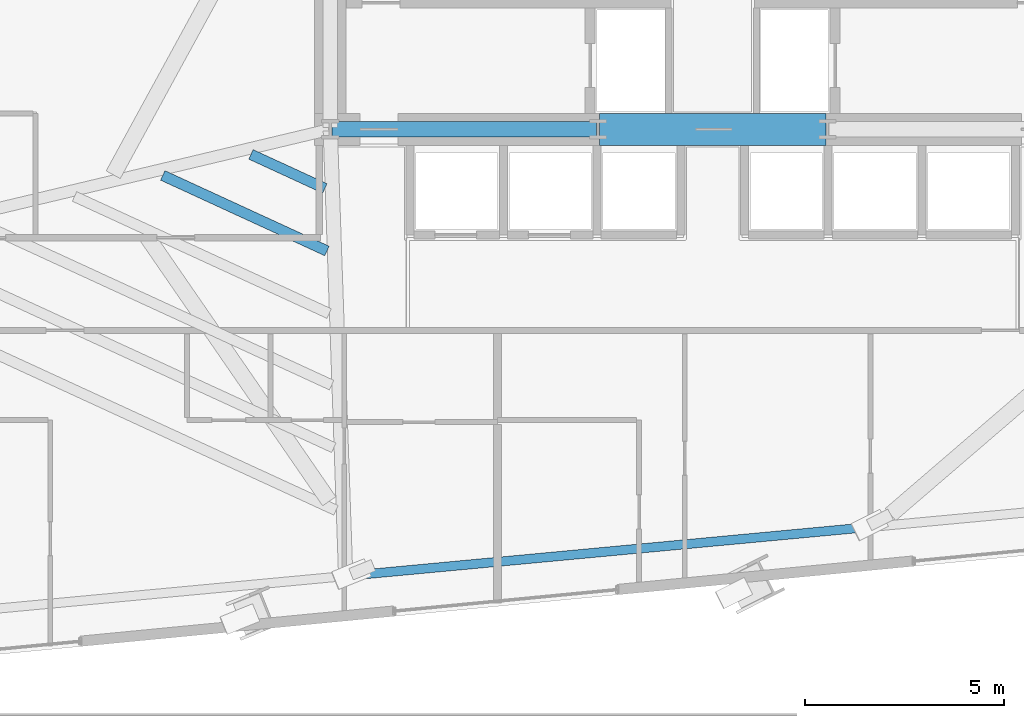
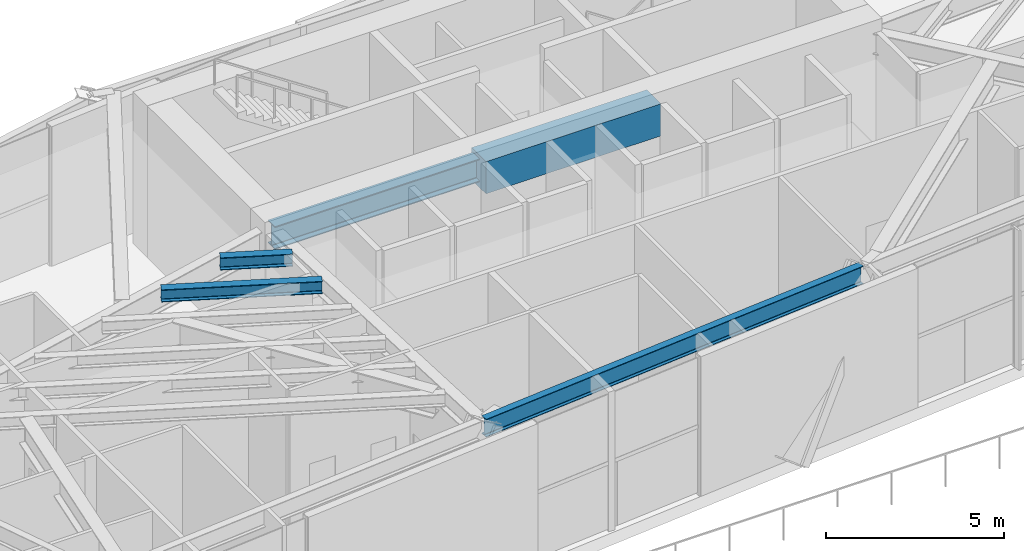
# One storey, part 5 of 28: 5 beams.
"""IFC4 building model written with IfcOpenShell, lengths in metres."""

from ifc_helpers import new_model, si_unit, direction, frame, origin, origin_2d, place, context, subcontext, project, spatial, rectangle, i_section, extrude, source, transform, mapped, material, material_profile, profile_set, type_object, type_shapes, element, save


model = new_model("IFC4")

# Units and contexts
model_context = context("Model", 3, precision=1e-05, world=origin(), true_north=direction((0.0, 1.0)))
body_context = subcontext(model_context, "Body", "Model", "MODEL_VIEW")
ifc_project = project(units=[si_unit("LENGTHUNIT", "METRE"), si_unit("AREAUNIT", "SQUARE_METRE"), si_unit("VOLUMEUNIT", "CUBIC_METRE"), si_unit("PLANEANGLEUNIT", "RADIAN"), si_unit("MASSUNIT", "GRAM", prefix="KILO")], contexts=[model_context])

# Site, building, storey
site_placement = place(None, origin())
site = spatial("IfcSite", under=ifc_project, at=site_placement, CompositionType="ELEMENT")
building_placement = place(site_placement, origin())
building = spatial("IfcBuilding", under=site, at=building_placement, Name="Astriad Promenade Condominiums", CompositionType="ELEMENT")
storey_placement = place(building_placement, frame((0.0, 0.0, 72.60009765625)))
storey = spatial("IfcBuildingStorey", under=building, at=storey_placement, Name="L20", CompositionType="ELEMENT", Elevation=72.60009765625)

# Beams
ifc_material_1 = material(Name="Steel ASTM A992 Grade 50", Category="steel")
ifc_material_profile_1 = material_profile(ifc_material_1, i_section(OverallWidth=0.3837890625, OverallDepth=0.785888671875, WebThickness=0.019775390625, FlangeThickness=0.033447265625, FilletRadius=0.021484375, at=origin_2d()), Name="W30X211")
ifc_profile_set_1 = profile_set([ifc_material_profile_1], Name="Steel ASTM A992 Grade 50")
beam_type_1 = type_object("IfcBeamType", Name="STEEL FLOOR GIRDER W30X211", PredefinedType="BEAM", material=ifc_profile_set_1)
shared_shape_1 = source(origin(), body_context, "Body", "SweptSolid", [
    extrude(i_section(OverallWidth=0.3837890625, OverallDepth=0.785888671875, WebThickness=0.019775390625, FlangeThickness=0.033447265625, FilletRadius=0.021484375, at=origin_2d()), origin(), (0.0, 0.0, 1.0), 6.64013671875),
])
type_shapes(beam_type_1, [shared_shape_1])
beam_1_placement = place(storey_placement, frame((26.43994140625, 17.39990234375, 4.386962890625), z_axis=(1.0, 0.0, 0.0), x_axis=(0.0, 1.0, 0.0)))
element("IfcBeam", 1, at=beam_1_placement, inside=storey, type_object=beam_type_1, Name="Core Ring Beam CG-S1-L20", PredefinedType="BEAM", context=body_context, shape_type="MappedRepresentation", body=[
    mapped(shared_shape_1, transform((0.0, 0.0, 0.0), scale=1.0)),
])
ifc_material_2 = material(Name="Concrete C80/95", Category="concrete")
ifc_material_profile_2 = material_profile(ifc_material_2, rectangle(XDim=0.800048828125, YDim=1.10009765625, at=origin_2d()), Name="RC-BM-800X1100")
ifc_profile_set_2 = profile_set([ifc_material_profile_2], Name="Concrete C80/95")
beam_type_2 = type_object("IfcBeamType", Name="CONCRETE CORE COUPLING LINTEL 800X1100", PredefinedType="LINTEL", material=ifc_profile_set_2)
shared_shape_2 = source(origin(), body_context, "Body", "SweptSolid", [
    extrude(rectangle(XDim=0.800048828125, YDim=1.10009765625, at=origin_2d()), origin(), (0.0, 0.0, 1.0), 5.68017578125),
])
type_shapes(beam_type_2, [shared_shape_2])
beam_2_placement = place(storey_placement, frame((33.159912109375, 17.39990234375, 4.22998046875), z_axis=(1.0, 0.0, 0.0), x_axis=(0.0, 1.0, 0.0)))
element("IfcBeam", 2, at=beam_2_placement, inside=storey, type_object=beam_type_2, Name="Core Ring Beam CG-S2-L20", PredefinedType="LINTEL", context=body_context, shape_type="MappedRepresentation", body=[
    mapped(shared_shape_2, transform((0.0, 0.0, 0.0), scale=1.0)),
])
ifc_material_profile_3 = material_profile(ifc_material_1, i_section(OverallWidth=0.22900390625, OverallDepth=0.612060546875, WebThickness=0.011962890625, FlangeThickness=0.01953125, FilletRadius=0.017822265625, at=origin_2d()), Name="W24X84")
ifc_profile_set_3 = profile_set([ifc_material_profile_3], Name="Steel ASTM A992 Grade 50")
beam_type_3 = type_object("IfcBeamType", Name="STEEL SPANDREL BEAM W24X84", PredefinedType="SPANDREL", material=ifc_profile_set_3)
shared_shape_3 = source(origin(), body_context, "Body", "SweptSolid", [
    extrude(i_section(OverallWidth=0.22900390625, OverallDepth=0.612060546875, WebThickness=0.011962890625, FlangeThickness=0.01953125, FilletRadius=0.017822265625, at=origin_2d()), origin(), (0.0, 0.0, 1.0), 12.9736328125),
])
type_shapes(beam_type_3, [shared_shape_3])
beam_3_placement = place(storey_placement, frame((26.8564453125, 6.1923828125, 4.473876953125), z_axis=(0.995655568628, 0.093112773887, 0.0), x_axis=(-0.093112773887, 0.995655568628, 0.0)))
element("IfcBeam", 3, at=beam_3_placement, inside=storey, type_object=beam_type_3, Name="Perimeter Spandrel Beam SP-S2-L20", PredefinedType="SPANDREL", context=body_context, shape_type="MappedRepresentation", body=[
    mapped(shared_shape_3, transform((0.0, 0.0, 0.0), scale=1.0)),
])
ifc_material_profile_4 = material_profile(ifc_material_1, i_section(OverallWidth=0.26318359375, OverallDepth=0.425537109375, WebThickness=0.01318359375, FlangeThickness=0.022216796875, FilletRadius=0.013916015625, at=origin_2d()), Name="W16X89")
ifc_profile_set_4 = profile_set([ifc_material_profile_4], Name="Steel ASTM A992 Grade 50")
beam_type_4 = type_object("IfcBeamType", Name="STEEL FLOOR JOIST W16X89", PredefinedType="JOIST", material=ifc_profile_set_4)
shared_shape_4 = source(origin(), body_context, "Body", "SweptSolid", [
    extrude(i_section(OverallWidth=0.26318359375, OverallDepth=0.425537109375, WebThickness=0.01318359375, FlangeThickness=0.022216796875, FilletRadius=0.013916015625, at=origin_2d()), origin(), (0.0, 0.0, 1.0), 4.53759765625),
])
beam_4_placement = place(storey_placement, frame((22.195556640625, 16.242431640625, 4.567138671875), z_axis=(0.908421804728, -0.418054810634, 0.0), x_axis=(0.418054810634, 0.908421804728, 0.0)))
element("IfcBeam", 4, at=beam_4_placement, inside=storey, type_object=beam_type_4, Name="Secondary Composite Floor Joist JW1-5-L20", PredefinedType="JOIST", context=body_context, shape_type="MappedRepresentation", body=[
    mapped(shared_shape_4, transform((0.0, 0.0, 0.0), scale=1.0)),
])
shared_shape_5 = source(origin(), body_context, "Body", "SweptSolid", [
    extrude(i_section(OverallWidth=0.26318359375, OverallDepth=0.425537109375, WebThickness=0.01318359375, FlangeThickness=0.022216796875, FilletRadius=0.013916015625, at=origin_2d()), origin(), (0.0, 0.0, 1.0), 2.040283203125),
])
type_shapes(beam_type_4, [shared_shape_4, shared_shape_5])
beam_5_placement = place(storey_placement, frame((24.409912109375, 16.769775390625, 4.567138671875), z_axis=(0.908347746599, -0.418215699429, 0.0), x_axis=(0.418215699429, 0.908347746599, 0.0)))
element("IfcBeam", 5, at=beam_5_placement, inside=storey, type_object=beam_type_4, Name="Secondary Composite Floor Joist JW1-6-L20", PredefinedType="JOIST", context=body_context, shape_type="MappedRepresentation", body=[
    mapped(shared_shape_5, transform((0.0, 0.0, 0.0), scale=1.0)),
])

save(model, "model.ifc")
